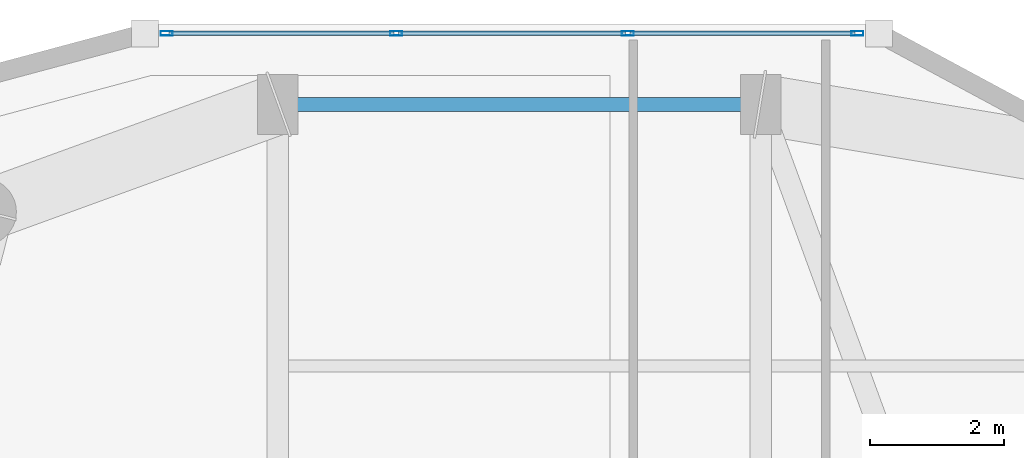
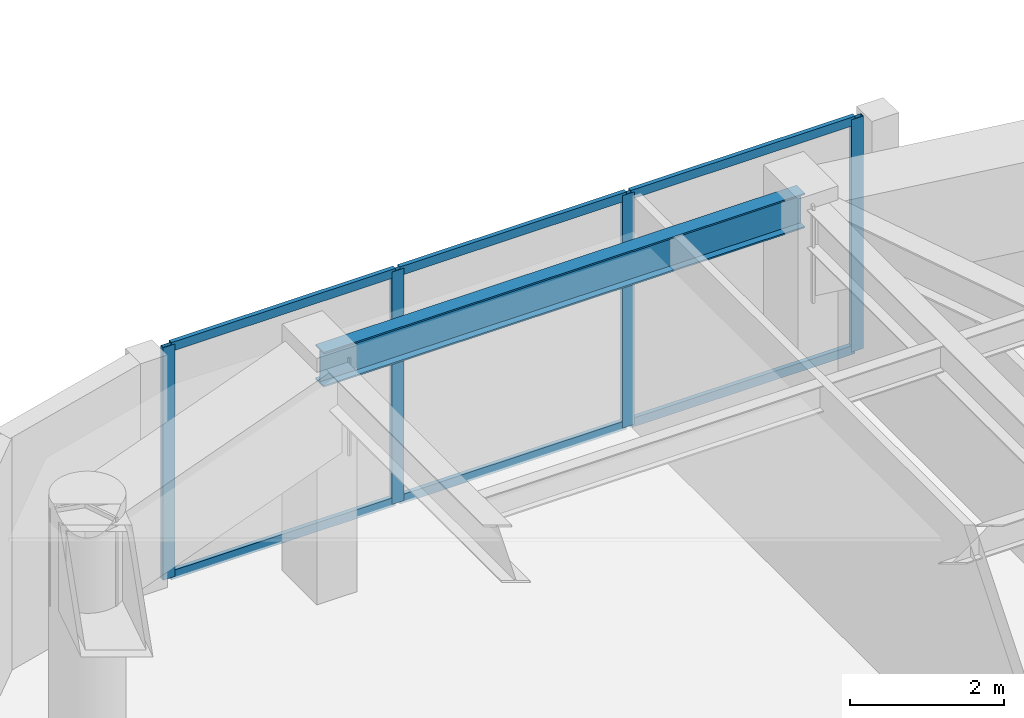
# One storey, part 10 of 21: 10 members, 1 beam, 1 element without a shape of its own.
"""IFC4 building model written with IfcOpenShell, lengths in metres."""

from ifc_helpers import new_model, si_unit, direction, frame, origin, origin_2d, place, context, subcontext, project, spatial, hollow_rectangle, i_section, extrude, material, layer, layer_set, material_profile, profile_set, type_object, element, aggregate, save


model = new_model("IFC4")

# Units and contexts
model_context = context("Model", 3, precision=1e-05, world=origin(), true_north=direction((0.0, 1.0)))
body_context = subcontext(model_context, "Body", "Model", "MODEL_VIEW")
ifc_project = project(units=[si_unit("LENGTHUNIT", "METRE"), si_unit("AREAUNIT", "SQUARE_METRE"), si_unit("VOLUMEUNIT", "CUBIC_METRE"), si_unit("PLANEANGLEUNIT", "RADIAN"), si_unit("MASSUNIT", "GRAM", prefix="KILO")], contexts=[model_context])

# Site, building, storey
site_placement = place(None, origin())
site = spatial("IfcSite", under=ifc_project, at=site_placement, CompositionType="ELEMENT")
building_placement = place(site_placement, origin())
building = spatial("IfcBuilding", under=site, at=building_placement, Name="Kiyonajd Concourse Tower", CompositionType="ELEMENT")
storey_placement = place(building_placement, frame((0.0, 0.0, 227.10009765625)))
storey = spatial("IfcBuildingStorey", under=building, at=storey_placement, Name="L57", CompositionType="ELEMENT", Elevation=227.10009765625)

# Beam
ifc_material_1 = material(Name="Steel ASTM A992 Grade 50", Category="steel")
ifc_material_profile_1 = material_profile(ifc_material_1, i_section(OverallWidth=0.214111328125, OverallDepth=0.549072265625, WebThickness=0.0146484375, FlangeThickness=0.023681640625, at=origin_2d()), Name="W530X138")
ifc_profile_set_1 = profile_set([ifc_material_profile_1], Name="Steel ASTM A992 Grade 50")
beam_type = type_object("IfcBeamType", Name="BM-SPAN-530A", PredefinedType="SPANDREL", material=ifc_profile_set_1)
beam_placement = place(storey_placement, frame((39.60009765625, 61.199951171875, 3.405517578125), z_axis=(-1.0, 0.0, 0.0), x_axis=(0.0, -1.0, 0.0)))
element("IfcBeam", 1, at=beam_placement, inside=storey, type_object=beam_type, Name="L57 Perimeter Bundled Tube Spandrel", PredefinedType="SPANDREL", context=body_context, shape_type="SweptSolid", body=[
    extrude(i_section(OverallWidth=0.214111328125, OverallDepth=0.549072265625, WebThickness=0.0146484375, FlangeThickness=0.023681640625, at=origin_2d()), origin(), (0.0, 0.0, 1.0), 7.2001953125),
])

# Curtain wall, members
ifc_material_2 = material(Name="Thermally Broken Anodised Aluminium", Category="aluminium")
ifc_layer = layer(ifc_material_2, 0.179931640625)
ifc_layer_set = layer_set([ifc_layer], Name="Thermally Broken Anodised Aluminium")
curtain_wall_type = type_object("IfcCurtainWallType", Name="CW-SYS-04", PredefinedType="NOTDEFINED", material=ifc_layer_set)
curtain_wall_placement = place(storey_placement, origin())
curtain_wall = element("IfcCurtainWall", 2, at=curtain_wall_placement, inside=storey, type_object=curtain_wall_type, Name="L57 Unitised Curtain Wall CW4", PredefinedType="NOTDEFINED")
ifc_material_profile_2 = material_profile(ifc_material_2, hollow_rectangle(XDim=0.06494140625, YDim=0.179931640625, WallThickness=0.00390625, at=origin_2d()), Name="MULL-65x180")
ifc_profile_set_2 = profile_set([ifc_material_profile_2], Name="Thermally Broken Anodised Aluminium")
member_type_1 = type_object("IfcMemberType", Name="MB-CW-MULL1", PredefinedType="MULLION", material=ifc_profile_set_2)
member_1_placement = place(storey_placement, frame((30.740966796875, 62.260009765625, 0.0), z_axis=(0.0, 0.0, 1.0), x_axis=(0.0, 1.0, 0.0)))
member_1 = element("IfcMember", 3, at=member_1_placement, type_object=member_type_1, Name="CW4 mullion 1", PredefinedType="MULLION", context=body_context, shape_type="SweptSolid", body=[
    extrude(hollow_rectangle(XDim=0.06494140625, YDim=0.179931640625, WallThickness=0.00390625, at=origin_2d()), origin(), (0.0, 0.0, 1.0), 3.679931640625),
])
member_2_placement = place(storey_placement, frame((34.163818359375, 62.260009765625, 0.0), z_axis=(0.0, 0.0, 1.0), x_axis=(0.0, 1.0, 0.0)))
member_2 = element("IfcMember", 4, at=member_2_placement, type_object=member_type_1, Name="CW4 mullion 2", PredefinedType="MULLION", context=body_context, shape_type="SweptSolid", body=[
    extrude(hollow_rectangle(XDim=0.06494140625, YDim=0.179931640625, WallThickness=0.00390625, at=origin_2d()), origin(), (0.0, 0.0, 1.0), 3.679931640625),
])
member_3_placement = place(storey_placement, frame((37.619384765625, 62.260009765625, 0.0), z_axis=(0.0, 0.0, 1.0), x_axis=(0.0, 1.0, 0.0)))
member_3 = element("IfcMember", 5, at=member_3_placement, type_object=member_type_1, Name="CW4 mullion 3", PredefinedType="MULLION", context=body_context, shape_type="SweptSolid", body=[
    extrude(hollow_rectangle(XDim=0.06494140625, YDim=0.179931640625, WallThickness=0.00390625, at=origin_2d()), origin(), (0.0, 0.0, 1.0), 3.679931640625),
])
member_4_placement = place(storey_placement, frame((41.042236328125, 62.260009765625, 0.0), z_axis=(0.0, 0.0, 1.0), x_axis=(0.0, 1.0, 0.0)))
member_4 = element("IfcMember", 6, at=member_4_placement, type_object=member_type_1, Name="CW4 mullion 4", PredefinedType="MULLION", context=body_context, shape_type="SweptSolid", body=[
    extrude(hollow_rectangle(XDim=0.06494140625, YDim=0.179931640625, WallThickness=0.00390625, at=origin_2d()), origin(), (0.0, 0.0, 1.0), 3.679931640625),
])
ifc_material_profile_3 = material_profile(ifc_material_2, hollow_rectangle(XDim=0.06494140625, YDim=0.139892578125, WallThickness=0.00390625, at=origin_2d()), Name="TRAN-65x140")
ifc_profile_set_3 = profile_set([ifc_material_profile_3], Name="Thermally Broken Anodised Aluminium")
member_type_2 = type_object("IfcMemberType", Name="MB-CW-TRAN1", PredefinedType="USERDEFINED", material=ifc_profile_set_3)
member_5_placement = place(storey_placement, frame((30.7734375, 62.260009765625, 0.032470703125), z_axis=(1.0, 0.0, 0.0), x_axis=(0.0, 1.0, 0.0)))
member_5 = element("IfcMember", 7, at=member_5_placement, type_object=member_type_2, Name="CW4 transom 1.1", ObjectType="TRANSOM", PredefinedType="USERDEFINED", context=body_context, shape_type="SweptSolid", body=[
    extrude(hollow_rectangle(XDim=0.06494140625, YDim=0.139892578125, WallThickness=0.00390625, at=origin_2d()), origin(), (0.0, 0.0, 1.0), 3.35791015625),
])
member_6_placement = place(storey_placement, frame((30.7734375, 62.260009765625, 3.6474609375), z_axis=(1.0, 0.0, 0.0), x_axis=(0.0, 1.0, 0.0)))
member_6 = element("IfcMember", 8, at=member_6_placement, type_object=member_type_2, Name="CW4 transom 1.2", ObjectType="TRANSOM", PredefinedType="USERDEFINED", context=body_context, shape_type="SweptSolid", body=[
    extrude(hollow_rectangle(XDim=0.06494140625, YDim=0.139892578125, WallThickness=0.00390625, at=origin_2d()), origin(), (0.0, 0.0, 1.0), 3.35791015625),
])
member_7_placement = place(storey_placement, frame((34.1962890625, 62.260009765625, 0.032470703125), z_axis=(1.0, 0.0, 0.0), x_axis=(0.0, 1.0, 0.0)))
member_7 = element("IfcMember", 9, at=member_7_placement, type_object=member_type_2, Name="CW4 transom 2.1", ObjectType="TRANSOM", PredefinedType="USERDEFINED", context=body_context, shape_type="SweptSolid", body=[
    extrude(hollow_rectangle(XDim=0.06494140625, YDim=0.139892578125, WallThickness=0.00390625, at=origin_2d()), origin(), (0.0, 0.0, 1.0), 3.390380859375),
])
member_8_placement = place(storey_placement, frame((34.1962890625, 62.260009765625, 3.6474609375), z_axis=(1.0, 0.0, 0.0), x_axis=(0.0, 1.0, 0.0)))
member_8 = element("IfcMember", 10, at=member_8_placement, type_object=member_type_2, Name="CW4 transom 2.2", ObjectType="TRANSOM", PredefinedType="USERDEFINED", context=body_context, shape_type="SweptSolid", body=[
    extrude(hollow_rectangle(XDim=0.06494140625, YDim=0.139892578125, WallThickness=0.00390625, at=origin_2d()), origin(), (0.0, 0.0, 1.0), 3.390380859375),
])
member_9_placement = place(storey_placement, frame((37.65185546875, 62.260009765625, 0.032470703125), z_axis=(1.0, 0.0, 0.0), x_axis=(0.0, 1.0, 0.0)))
member_9 = element("IfcMember", 11, at=member_9_placement, type_object=member_type_2, Name="CW4 transom 3.1", ObjectType="TRANSOM", PredefinedType="USERDEFINED", context=body_context, shape_type="SweptSolid", body=[
    extrude(hollow_rectangle(XDim=0.06494140625, YDim=0.139892578125, WallThickness=0.00390625, at=origin_2d()), origin(), (0.0, 0.0, 1.0), 3.35791015625),
])
member_10_placement = place(storey_placement, frame((37.65185546875, 62.260009765625, 3.6474609375), z_axis=(1.0, 0.0, 0.0), x_axis=(0.0, 1.0, 0.0)))
member_10 = element("IfcMember", 12, at=member_10_placement, type_object=member_type_2, Name="CW4 transom 3.2", ObjectType="TRANSOM", PredefinedType="USERDEFINED", context=body_context, shape_type="SweptSolid", body=[
    extrude(hollow_rectangle(XDim=0.06494140625, YDim=0.139892578125, WallThickness=0.00390625, at=origin_2d()), origin(), (0.0, 0.0, 1.0), 3.35791015625),
])
aggregate(curtain_wall, [member_1, member_2, member_3, member_4, member_5, member_6, member_7, member_8, member_9, member_10])

save(model, "model.ifc")
